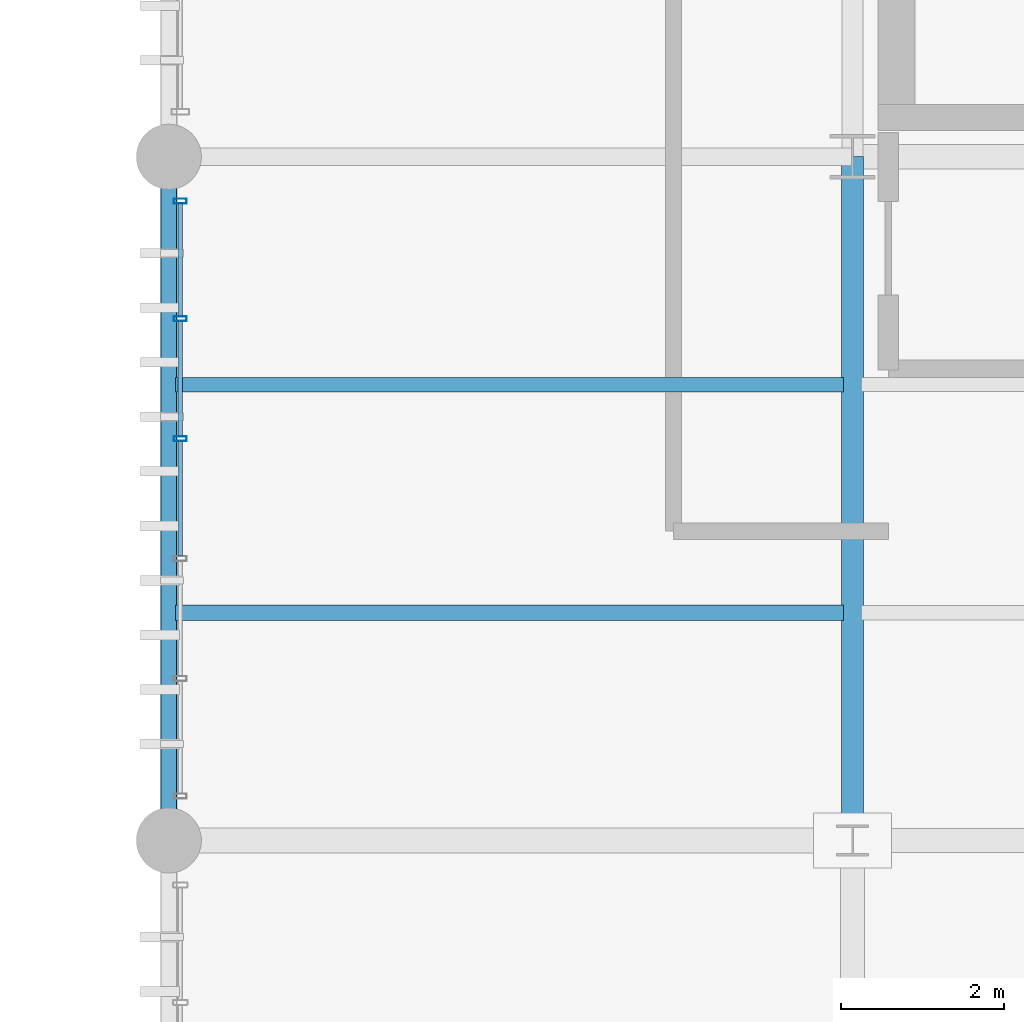
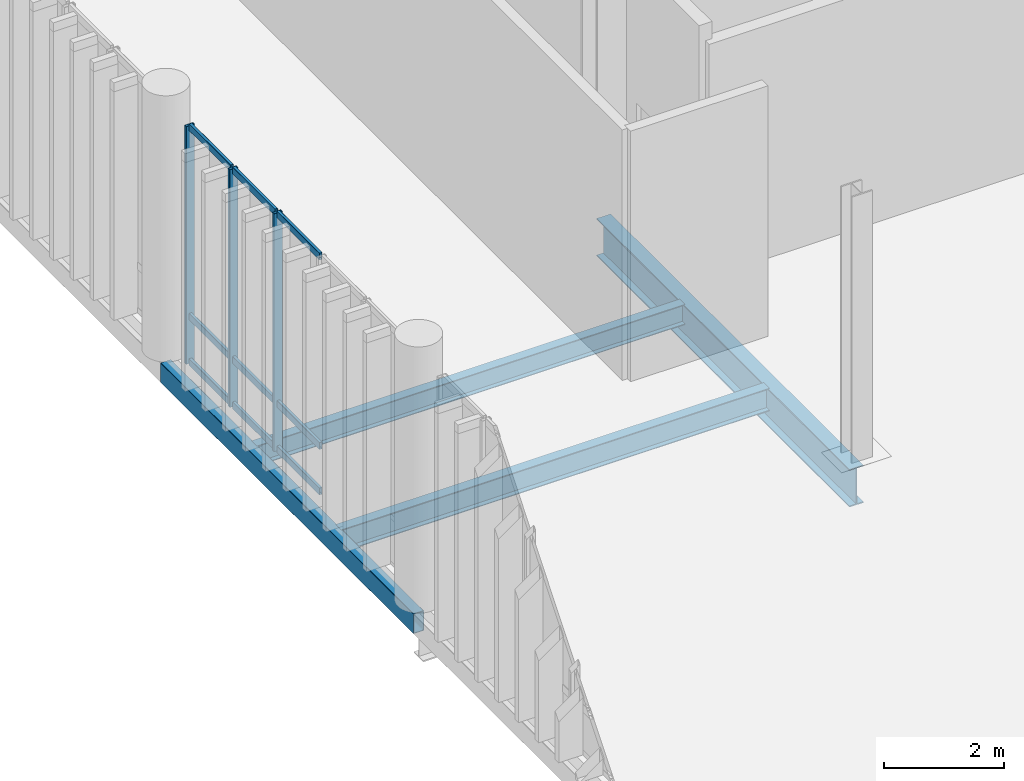
# One storey, part 63 of 112: 12 members, 4 beams, 1 element without a shape of its own.
"""IFC4 building model written with IfcOpenShell, lengths in metres."""

from ifc_helpers import new_model, si_unit, direction, frame, origin_with_axes, origin_2d_with_axis, place, context, subcontext, project, spatial, hollow_rectangle, i_section, extrude, material, material_profile, profile_set, type_object, element, aggregate, save


model = new_model("IFC4")

# Units and contexts
model_context = context("Model", 3, precision=1e-05, world=origin_with_axes(), true_north=direction((0.0, 1.0)))
body_context = subcontext(model_context, "Body", "Model", "MODEL_VIEW")
ifc_project = project(units=[si_unit("LENGTHUNIT", "METRE"), si_unit("AREAUNIT", "SQUARE_METRE"), si_unit("VOLUMEUNIT", "CUBIC_METRE"), si_unit("PLANEANGLEUNIT", "RADIAN"), si_unit("MASSUNIT", "GRAM", prefix="KILO"), si_unit("THERMODYNAMICTEMPERATUREUNIT", "KELVIN")], contexts=[model_context])

# Site, building, storey
site_placement = place(None, origin_with_axes())
site = spatial("IfcSite", under=ifc_project, at=site_placement, CompositionType="ELEMENT")
building_placement = place(site_placement, origin_with_axes())
building = spatial("IfcBuilding", under=site, at=building_placement, Name="Montbau Bow Law Courts", CompositionType="ELEMENT")
storey_placement = place(building_placement, origin_with_axes())
storey = spatial("IfcBuildingStorey", under=building, at=storey_placement, Name="L00", CompositionType="ELEMENT", Elevation=0.0)

# Beams
ifc_material_1 = material(Name="Steel CSA G40.21 Grade 350W (350 MPa)", Category="steel")
ifc_material_profile_1 = material_profile(ifc_material_1, i_section(OverallWidth=0.267, OverallDepth=0.766, WebThickness=0.0149, FlangeThickness=0.0236, at=origin_2d_with_axis()), Name="W760X185", Category="Main", Priority=0)
ifc_profile_set_1 = profile_set([ifc_material_profile_1], Name="Steel CSA G40.21 Grade 350W (350 MPa)")
beam_type_1 = type_object("IfcBeamType", Name="B-FLR-03", PredefinedType="BEAM", material=ifc_profile_set_1)
beam_1_placement = place(None, frame((147.0, 78.0, -0.643), z_axis=(0.0, 1.0, 0.0), x_axis=(-1.0, 0.0, 0.0)))
element("IfcBeam", 1, at=beam_1_placement, inside=storey, type_object=beam_type_1, Name="BM-L00-S0440:bm2_0443", PredefinedType="BEAM", context=body_context, shape_type="SweptSolid", body=[
    extrude(i_section(OverallWidth=0.267, OverallDepth=0.766, WebThickness=0.0149, FlangeThickness=0.0236, at=origin_2d_with_axis()), origin_with_axes(), (0.0, 0.0, 1.0), 8.4),
])
ifc_material_profile_2 = material_profile(ifc_material_1, i_section(OverallWidth=0.191, OverallDepth=0.46, WebThickness=0.0099, FlangeThickness=0.016, at=origin_2d_with_axis()), Name="W460X82", Category="Main", Priority=0)
ifc_profile_set_2 = profile_set([ifc_material_profile_2], Name="Steel CSA G40.21 Grade 350W (350 MPa)")
beam_type_2 = type_object("IfcBeamType", Name="B-JST-01", PredefinedType="JOIST", material=ifc_profile_set_2)
beam_2_placement = place(None, frame((138.68, 80.8, -0.49), z_axis=(1.0, 0.0, 0.0), x_axis=(0.0, 1.0, 0.0)))
element("IfcBeam", 2, at=beam_2_placement, inside=storey, type_object=beam_type_2, Name="JST-L00-S0184:jst2_0184", PredefinedType="JOIST", context=body_context, shape_type="SweptSolid", body=[
    extrude(i_section(OverallWidth=0.191, OverallDepth=0.46, WebThickness=0.0099, FlangeThickness=0.016, at=origin_2d_with_axis()), origin_with_axes(), (0.0, 0.0, 1.0), 8.211),
])
ifc_material_profile_3 = material_profile(ifc_material_1, i_section(OverallWidth=0.179, OverallDepth=0.41, WebThickness=0.0088, FlangeThickness=0.0144, at=origin_2d_with_axis()), Name="W410X67", Category="Main", Priority=0)
ifc_profile_set_3 = profile_set([ifc_material_profile_3], Name="Steel CSA G40.21 Grade 350W (350 MPa)")
beam_type_3 = type_object("IfcBeamType", Name="B-JST-02", PredefinedType="JOIST", material=ifc_profile_set_3)
beam_3_placement = place(None, frame((138.68, 83.6, -0.465), z_axis=(1.0, 0.0, 0.0), x_axis=(0.0, 1.0, 0.0)))
element("IfcBeam", 3, at=beam_3_placement, inside=storey, type_object=beam_type_3, Name="JST-L00-S0185:jst2_0185", PredefinedType="JOIST", context=body_context, shape_type="SweptSolid", body=[
    extrude(i_section(OverallWidth=0.179, OverallDepth=0.41, WebThickness=0.0088, FlangeThickness=0.0144, at=origin_2d_with_axis()), origin_with_axes(), (0.0, 0.0, 1.0), 8.211),
])
ifc_material_2 = material(Name="Steel CSA G40.21 Grade 350WT (350 MPa)", Category="steel")
ifc_material_profile_4 = material_profile(ifc_material_2, hollow_rectangle(XDim=0.203, YDim=0.406, WallThickness=0.0127, InnerFilletRadius=0.0254, OuterFilletRadius=0.0127, at=origin_2d_with_axis()), Name="HSS406X203X13", Category="Main", Priority=0)
ifc_profile_set_4 = profile_set([ifc_material_profile_4], Name="Steel CSA G40.21 Grade 350WT (350 MPa)")
beam_type_4 = type_object("IfcBeamType", Name="B-SPN-01", PredefinedType="SPANDREL", material=ifc_profile_set_4)
beam_4_placement = place(None, frame((138.6, 78.0, -0.463), z_axis=(0.0, 1.0, 0.0), x_axis=(-1.0, 0.0, 0.0)))
element("IfcBeam", 4, at=beam_4_placement, inside=storey, type_object=beam_type_4, Name="SPN-L00-S0433:bm2_0436", PredefinedType="SPANDREL", context=body_context, shape_type="SweptSolid", body=[
    extrude(hollow_rectangle(XDim=0.203, YDim=0.406, WallThickness=0.0127, InnerFilletRadius=0.0254, OuterFilletRadius=0.0127, at=origin_2d_with_axis()), origin_with_axes(), (0.0, 0.0, 1.0), 8.4),
])

# Curtain wall, members
ifc_material_3 = material(Name="Thermally Broken Extruded Aluminium AA 6063-T6", Category="aluminium")
curtain_wall_type = type_object("IfcCurtainWallType", Name="CW-SLT-01", PredefinedType="NOTDEFINED", material=ifc_material_3)
curtain_wall_placement = place(None, frame((138.74, 78.515, 0.0), z_axis=(0.0, 0.0, 1.0), x_axis=(1.0, 0.0, 0.0)))
curtain_wall = element("IfcCurtainWall", 5, at=curtain_wall_placement, inside=storey, type_object=curtain_wall_type, Name="CW-L00-269:cw_0269", PredefinedType="NOTDEFINED")
ifc_material_profile_5 = material_profile(ifc_material_3, hollow_rectangle(XDim=0.06, YDim=0.16, WallThickness=0.004, InnerFilletRadius=0.008, OuterFilletRadius=0.004, at=origin_2d_with_axis()), Name="CWM-160X60", Category="Main", Priority=0)
ifc_profile_set_5 = profile_set([ifc_material_profile_5], Name="Thermally Broken Extruded Aluminium AA 6063-T6")
member_type_1 = type_object("IfcMemberType", Name="M-MUL-03", PredefinedType="MULLION", material=ifc_profile_set_5)
member_1_placement = place(None, frame((138.74, 82.937, 0.0), z_axis=(0.0, 0.0, 1.0), x_axis=(0.0, 1.0, 0.0)))
member_1 = element("IfcMember", 6, at=member_1_placement, type_object=member_type_1, Name="CW-L00-269-M04:cw_0269_M04", PredefinedType="MULLION", context=body_context, shape_type="SweptSolid", body=[
    extrude(hollow_rectangle(XDim=0.06, YDim=0.16, WallThickness=0.004, InnerFilletRadius=0.008, OuterFilletRadius=0.004, at=origin_2d_with_axis()), origin_with_axes(), (0.0, 0.0, 1.0), 4.82),
])
member_2_placement = place(None, frame((138.74, 84.411, 0.0), z_axis=(0.0, 0.0, 1.0), x_axis=(0.0, 1.0, 0.0)))
member_2 = element("IfcMember", 7, at=member_2_placement, type_object=member_type_1, Name="CW-L00-269-M05:cw_0269_M05", PredefinedType="MULLION", context=body_context, shape_type="SweptSolid", body=[
    extrude(hollow_rectangle(XDim=0.06, YDim=0.16, WallThickness=0.004, InnerFilletRadius=0.008, OuterFilletRadius=0.004, at=origin_2d_with_axis()), origin_with_axes(), (0.0, 0.0, 1.0), 4.82),
])
member_3_placement = place(None, frame((138.74, 85.855, 0.0), z_axis=(0.0, 0.0, 1.0), x_axis=(0.0, 1.0, 0.0)))
member_3 = element("IfcMember", 8, at=member_3_placement, type_object=member_type_1, Name="CW-L00-269-M06:cw_0269_M06", PredefinedType="MULLION", context=body_context, shape_type="SweptSolid", body=[
    extrude(hollow_rectangle(XDim=0.06, YDim=0.16, WallThickness=0.004, InnerFilletRadius=0.008, OuterFilletRadius=0.004, at=origin_2d_with_axis()), origin_with_axes(), (0.0, 0.0, 1.0), 4.82),
])
ifc_material_profile_6 = material_profile(ifc_material_3, hollow_rectangle(XDim=0.055, YDim=0.14, WallThickness=0.004, InnerFilletRadius=0.008, OuterFilletRadius=0.004, at=origin_2d_with_axis()), Name="CWT-140X55", Category="Main", Priority=0)
ifc_profile_set_6 = profile_set([ifc_material_profile_6], Name="Thermally Broken Extruded Aluminium AA 6063-T6")
member_type_2 = type_object("IfcMemberType", Name="M-TRN-02", PredefinedType="USERDEFINED", material=ifc_profile_set_6)
member_4_placement = place(None, frame((138.74, 81.495, 0.028), z_axis=(0.0, 1.0, 0.0), x_axis=(-1.0, 0.0, 0.0)))
member_4 = element("IfcMember", 9, at=member_4_placement, type_object=member_type_2, Name="CW-L00-269-T03-1:cw_0269_T03_1", ObjectType="TRANSOM", PredefinedType="USERDEFINED", context=body_context, shape_type="SweptSolid", body=[
    extrude(hollow_rectangle(XDim=0.055, YDim=0.14, WallThickness=0.004, InnerFilletRadius=0.008, OuterFilletRadius=0.004, at=origin_2d_with_axis()), origin_with_axes(), (0.0, 0.0, 1.0), 1.41),
])
member_5_placement = place(None, frame((138.74, 81.495, 0.95), z_axis=(0.0, 1.0, 0.0), x_axis=(-1.0, 0.0, 0.0)))
member_5 = element("IfcMember", 10, at=member_5_placement, type_object=member_type_2, Name="CW-L00-269-T03-2:cw_0269_T03_2", ObjectType="TRANSOM", PredefinedType="USERDEFINED", context=body_context, shape_type="SweptSolid", body=[
    extrude(hollow_rectangle(XDim=0.055, YDim=0.14, WallThickness=0.004, InnerFilletRadius=0.008, OuterFilletRadius=0.004, at=origin_2d_with_axis()), origin_with_axes(), (0.0, 0.0, 1.0), 1.41),
])
member_6_placement = place(None, frame((138.74, 81.495, 4.793), z_axis=(0.0, 1.0, 0.0), x_axis=(-1.0, 0.0, 0.0)))
member_6 = element("IfcMember", 11, at=member_6_placement, type_object=member_type_2, Name="CW-L00-269-T03-3:cw_0269_T03_3", ObjectType="TRANSOM", PredefinedType="USERDEFINED", context=body_context, shape_type="SweptSolid", body=[
    extrude(hollow_rectangle(XDim=0.055, YDim=0.14, WallThickness=0.004, InnerFilletRadius=0.008, OuterFilletRadius=0.004, at=origin_2d_with_axis()), origin_with_axes(), (0.0, 0.0, 1.0), 1.41),
])
member_7_placement = place(None, frame((138.74, 82.969, 0.028), z_axis=(0.0, 1.0, 0.0), x_axis=(-1.0, 0.0, 0.0)))
member_7 = element("IfcMember", 12, at=member_7_placement, type_object=member_type_2, Name="CW-L00-269-T04-1:cw_0269_T04_1", ObjectType="TRANSOM", PredefinedType="USERDEFINED", context=body_context, shape_type="SweptSolid", body=[
    extrude(hollow_rectangle(XDim=0.055, YDim=0.14, WallThickness=0.004, InnerFilletRadius=0.008, OuterFilletRadius=0.004, at=origin_2d_with_axis()), origin_with_axes(), (0.0, 0.0, 1.0), 1.41),
])
member_8_placement = place(None, frame((138.74, 82.969, 0.95), z_axis=(0.0, 1.0, 0.0), x_axis=(-1.0, 0.0, 0.0)))
member_8 = element("IfcMember", 13, at=member_8_placement, type_object=member_type_2, Name="CW-L00-269-T04-2:cw_0269_T04_2", ObjectType="TRANSOM", PredefinedType="USERDEFINED", context=body_context, shape_type="SweptSolid", body=[
    extrude(hollow_rectangle(XDim=0.055, YDim=0.14, WallThickness=0.004, InnerFilletRadius=0.008, OuterFilletRadius=0.004, at=origin_2d_with_axis()), origin_with_axes(), (0.0, 0.0, 1.0), 1.41),
])
member_9_placement = place(None, frame((138.74, 82.969, 4.793), z_axis=(0.0, 1.0, 0.0), x_axis=(-1.0, 0.0, 0.0)))
member_9 = element("IfcMember", 14, at=member_9_placement, type_object=member_type_2, Name="CW-L00-269-T04-3:cw_0269_T04_3", ObjectType="TRANSOM", PredefinedType="USERDEFINED", context=body_context, shape_type="SweptSolid", body=[
    extrude(hollow_rectangle(XDim=0.055, YDim=0.14, WallThickness=0.004, InnerFilletRadius=0.008, OuterFilletRadius=0.004, at=origin_2d_with_axis()), origin_with_axes(), (0.0, 0.0, 1.0), 1.41),
])
member_10_placement = place(None, frame((138.74, 84.443, 0.028), z_axis=(0.0, 1.0, 0.0), x_axis=(-1.0, 0.0, 0.0)))
member_10 = element("IfcMember", 15, at=member_10_placement, type_object=member_type_2, Name="CW-L00-269-T05-1:cw_0269_T05_1", ObjectType="TRANSOM", PredefinedType="USERDEFINED", context=body_context, shape_type="SweptSolid", body=[
    extrude(hollow_rectangle(XDim=0.055, YDim=0.14, WallThickness=0.004, InnerFilletRadius=0.008, OuterFilletRadius=0.004, at=origin_2d_with_axis()), origin_with_axes(), (0.0, 0.0, 1.0), 1.38),
])
member_11_placement = place(None, frame((138.74, 84.443, 0.95), z_axis=(0.0, 1.0, 0.0), x_axis=(-1.0, 0.0, 0.0)))
member_11 = element("IfcMember", 16, at=member_11_placement, type_object=member_type_2, Name="CW-L00-269-T05-2:cw_0269_T05_2", ObjectType="TRANSOM", PredefinedType="USERDEFINED", context=body_context, shape_type="SweptSolid", body=[
    extrude(hollow_rectangle(XDim=0.055, YDim=0.14, WallThickness=0.004, InnerFilletRadius=0.008, OuterFilletRadius=0.004, at=origin_2d_with_axis()), origin_with_axes(), (0.0, 0.0, 1.0), 1.38),
])
member_12_placement = place(None, frame((138.74, 84.443, 4.793), z_axis=(0.0, 1.0, 0.0), x_axis=(-1.0, 0.0, 0.0)))
member_12 = element("IfcMember", 17, at=member_12_placement, type_object=member_type_2, Name="CW-L00-269-T05-3:cw_0269_T05_3", ObjectType="TRANSOM", PredefinedType="USERDEFINED", context=body_context, shape_type="SweptSolid", body=[
    extrude(hollow_rectangle(XDim=0.055, YDim=0.14, WallThickness=0.004, InnerFilletRadius=0.008, OuterFilletRadius=0.004, at=origin_2d_with_axis()), origin_with_axes(), (0.0, 0.0, 1.0), 1.38),
])
aggregate(curtain_wall, [member_1, member_2, member_3, member_4, member_5, member_6, member_7, member_8, member_9, member_10, member_11, member_12])

save(model, "model.ifc")
